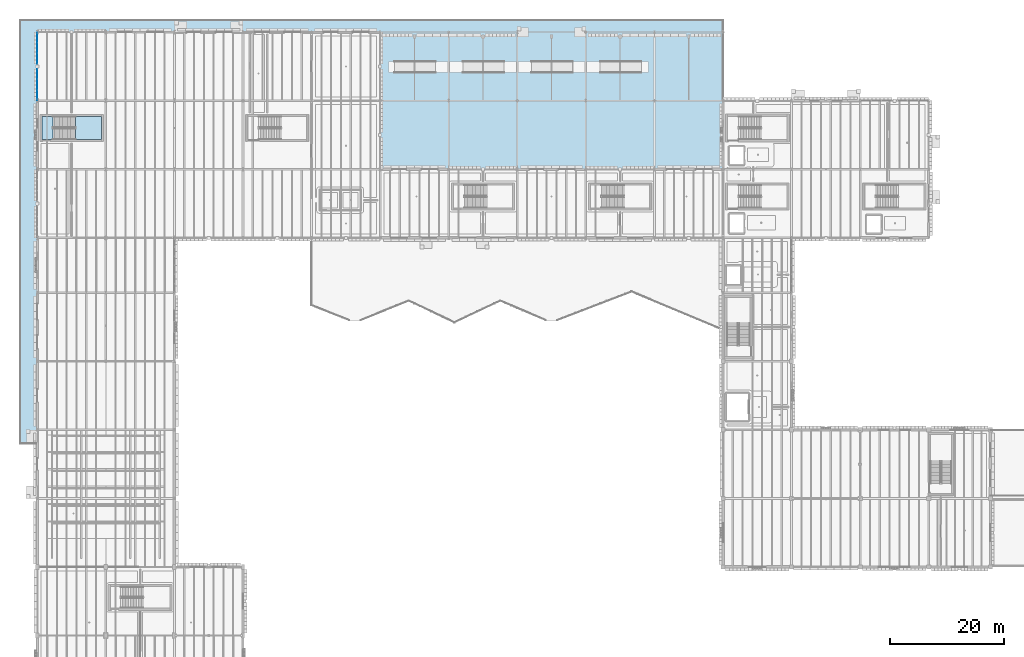
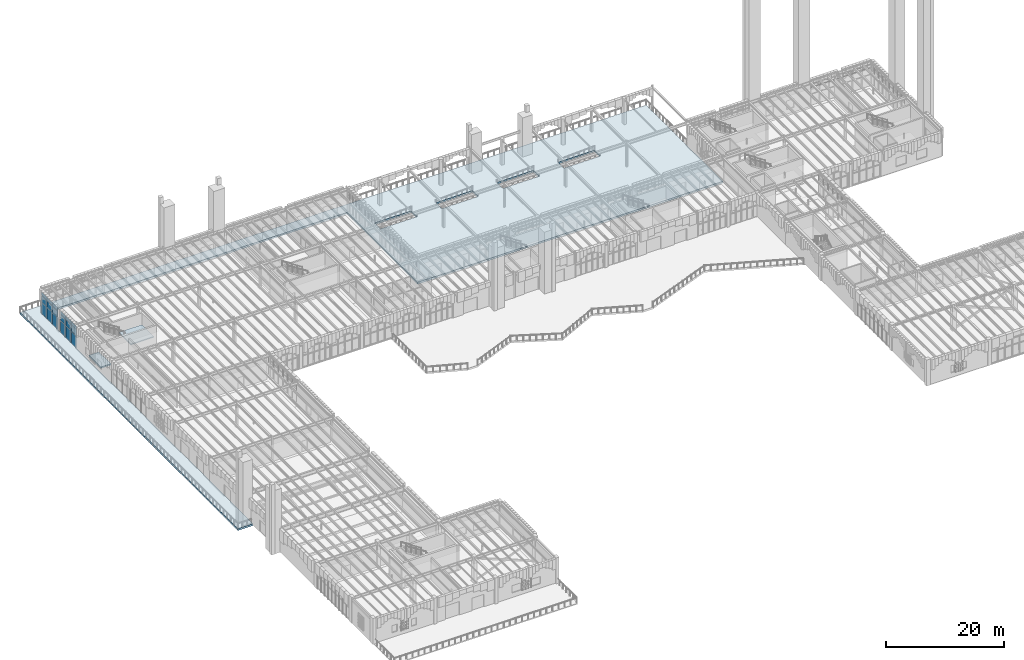
# One storey, part 43 of 103: 18 plates, 3 slabs, 3 elements without a shape of their own.
"""IFC4 building model written with IfcOpenShell, lengths in metres."""

from ifc_helpers import new_model, si_unit, direction, frame, origin, origin_2d, place, context, subcontext, project, spatial, polyline, rectangle, outline, extrude, material, layer, layer_set, type_object, element, aggregate, save


model = new_model("IFC4")

# Units and contexts
model_context = context("Model", 3, precision=1e-05, world=origin(), true_north=direction((0.0, 1.0)))
body_context = subcontext(model_context, "Body", "Model", "MODEL_VIEW")
ifc_project = project(units=[si_unit("LENGTHUNIT", "METRE"), si_unit("AREAUNIT", "SQUARE_METRE"), si_unit("VOLUMEUNIT", "CUBIC_METRE"), si_unit("PLANEANGLEUNIT", "RADIAN"), si_unit("MASSUNIT", "GRAM", prefix="KILO")], contexts=[model_context])

# Site, building, storey
site_placement = place(None, origin())
site = spatial("IfcSite", under=ifc_project, at=site_placement, CompositionType="ELEMENT")
building_placement = place(site_placement, origin())
building = spatial("IfcBuilding", under=site, at=building_placement, Name="Zlatogorsky Bluff Art Gallery", CompositionType="ELEMENT")
storey_placement = place(building_placement, origin())
storey = spatial("IfcBuildingStorey", under=building, at=storey_placement, Name="L00", CompositionType="ELEMENT", Elevation=0.0)

# Curtain wall, plates
ifc_material_1 = material(Name="Anodised Bronze Aluminium and Low-Iron Triple Glazing", Category="aluminium")
ifc_layer_1 = layer(ifc_material_1, 0.219970703125)
ifc_layer_set_1 = layer_set([ifc_layer_1], Name="Curtain Wall CW-04")
curtain_wall_type = type_object("IfcCurtainWallType", Name="Curtain Wall CW-04", PredefinedType="USERDEFINED", material=ifc_layer_set_1)
curtain_wall_1_placement = place(storey_placement, origin())
curtain_wall_1 = element("IfcCurtainWall", 1, at=curtain_wall_1_placement, inside=storey, type_object=curtain_wall_type, Name="Unitised curtain wall CW-04 L00 W 0.10-A", ObjectType="CURTAIN WALL", PredefinedType="USERDEFINED")
ifc_material_2 = material(Name="Low-Iron Laminated Triple Glazing", Category="glass")
ifc_layer_2 = layer(ifc_material_2, 0.035888671875)
ifc_layer_set_2 = layer_set([ifc_layer_2], Name="Glazed Curtain Panel CWP-01")
plate_type = type_object("IfcPlateType", Name="Glazed Curtain Panel CWP-01", PredefinedType="CURTAIN_PANEL", material=ifc_layer_set_2)
plate_1_placement = place(storey_placement, frame((0.0, 119.0537109375, 0.06494140625), z_axis=(0.0, 0.0, 1.0), x_axis=(0.0, -1.0, 0.0)))
plate_1 = element("IfcPlate", 2, at=plate_1_placement, type_object=plate_type, Name="CW-04 panel 1.1", PredefinedType="CURTAIN_PANEL", context=body_context, shape_type="SweptSolid", body=[
    extrude(rectangle(XDim=1.762451171875, YDim=0.035888671875, at=origin_2d()), origin(), (0.0, 0.0, 1.0), 2.3525390625),
])
plate_2_placement = place(storey_placement, frame((0.0, 119.0537109375, 2.482421875), z_axis=(0.0, 0.0, 1.0), x_axis=(0.0, -1.0, 0.0)))
plate_2 = element("IfcPlate", 3, at=plate_2_placement, type_object=plate_type, Name="CW-04 panel 1.2", PredefinedType="CURTAIN_PANEL", context=body_context, shape_type="SweptSolid", body=[
    extrude(rectangle(XDim=1.762451171875, YDim=0.035888671875, at=origin_2d()), origin(), (0.0, 0.0, 1.0), 1.3349609375),
])
plate_3_placement = place(storey_placement, frame((0.0, 119.0537109375, 3.88232421875), z_axis=(0.0, 0.0, 1.0), x_axis=(0.0, -1.0, 0.0)))
plate_3 = element("IfcPlate", 4, at=plate_3_placement, type_object=plate_type, Name="CW-04 panel 1.3", PredefinedType="CURTAIN_PANEL", context=body_context, shape_type="SweptSolid", body=[
    extrude(rectangle(XDim=1.762451171875, YDim=0.035888671875, at=origin_2d()), origin(), (0.0, 0.0, 1.0), 0.612548828125),
])
plate_4_placement = place(storey_placement, frame((0.0, 117.2099609375, 0.06494140625), z_axis=(0.0, 0.0, 1.0), x_axis=(0.0, -1.0, 0.0)))
plate_4 = element("IfcPlate", 5, at=plate_4_placement, type_object=plate_type, Name="CW-04 panel 2.1", PredefinedType="CURTAIN_PANEL", context=body_context, shape_type="SweptSolid", body=[
    extrude(rectangle(XDim=1.794921875, YDim=0.035888671875, at=origin_2d()), origin(), (0.0, 0.0, 1.0), 2.3525390625),
])
plate_5_placement = place(storey_placement, frame((0.0, 117.2099609375, 2.482421875), z_axis=(0.0, 0.0, 1.0), x_axis=(0.0, -1.0, 0.0)))
plate_5 = element("IfcPlate", 6, at=plate_5_placement, type_object=plate_type, Name="CW-04 panel 2.2", PredefinedType="CURTAIN_PANEL", context=body_context, shape_type="SweptSolid", body=[
    extrude(rectangle(XDim=1.794921875, YDim=0.035888671875, at=origin_2d()), origin(), (0.0, 0.0, 1.0), 1.3349609375),
])
plate_6_placement = place(storey_placement, frame((0.0, 117.2099609375, 3.88232421875), z_axis=(0.0, 0.0, 1.0), x_axis=(0.0, -1.0, 0.0)))
plate_6 = element("IfcPlate", 7, at=plate_6_placement, type_object=plate_type, Name="CW-04 panel 2.3", PredefinedType="CURTAIN_PANEL", context=body_context, shape_type="SweptSolid", body=[
    extrude(rectangle(XDim=1.794921875, YDim=0.035888671875, at=origin_2d()), origin(), (0.0, 0.0, 1.0), 0.612548828125),
])
plate_7_placement = place(storey_placement, frame((0.0, 115.3662109375, 0.06494140625), z_axis=(0.0, 0.0, 1.0), x_axis=(0.0, -1.0, 0.0)))
plate_7 = element("IfcPlate", 8, at=plate_7_placement, type_object=plate_type, Name="CW-04 panel 3.1", PredefinedType="CURTAIN_PANEL", context=body_context, shape_type="SweptSolid", body=[
    extrude(rectangle(XDim=1.762451171875, YDim=0.035888671875, at=origin_2d()), origin(), (0.0, 0.0, 1.0), 2.3525390625),
])
plate_8_placement = place(storey_placement, frame((0.0, 115.3662109375, 2.482421875), z_axis=(0.0, 0.0, 1.0), x_axis=(0.0, -1.0, 0.0)))
plate_8 = element("IfcPlate", 9, at=plate_8_placement, type_object=plate_type, Name="CW-04 panel 3.2", PredefinedType="CURTAIN_PANEL", context=body_context, shape_type="SweptSolid", body=[
    extrude(rectangle(XDim=1.762451171875, YDim=0.035888671875, at=origin_2d()), origin(), (0.0, 0.0, 1.0), 1.3349609375),
])
plate_9_placement = place(storey_placement, frame((0.0, 115.3662109375, 3.88232421875), z_axis=(0.0, 0.0, 1.0), x_axis=(0.0, -1.0, 0.0)))
plate_9 = element("IfcPlate", 10, at=plate_9_placement, type_object=plate_type, Name="CW-04 panel 3.3", PredefinedType="CURTAIN_PANEL", context=body_context, shape_type="SweptSolid", body=[
    extrude(rectangle(XDim=1.762451171875, YDim=0.035888671875, at=origin_2d()), origin(), (0.0, 0.0, 1.0), 0.612548828125),
])
aggregate(curtain_wall_1, [plate_1, plate_2, plate_3, plate_4, plate_5, plate_6, plate_7, plate_8, plate_9])

curtain_wall_2_placement = place(storey_placement, origin())
curtain_wall_2 = element("IfcCurtainWall", 11, at=curtain_wall_2_placement, inside=storey, type_object=curtain_wall_type, Name="Unitised curtain wall CW-04 L00 W 0.10-B", ObjectType="CURTAIN WALL", PredefinedType="USERDEFINED")
plate_10_placement = place(storey_placement, frame((0.0, 112.6337890625, 0.06494140625), z_axis=(0.0, 0.0, 1.0), x_axis=(0.0, -1.0, 0.0)))
plate_10 = element("IfcPlate", 12, at=plate_10_placement, type_object=plate_type, Name="CW-04 panel 1.1", PredefinedType="CURTAIN_PANEL", context=body_context, shape_type="SweptSolid", body=[
    extrude(rectangle(XDim=1.762451171875, YDim=0.035888671875, at=origin_2d()), origin(), (0.0, 0.0, 1.0), 2.3525390625),
])
plate_11_placement = place(storey_placement, frame((0.0, 112.6337890625, 2.482421875), z_axis=(0.0, 0.0, 1.0), x_axis=(0.0, -1.0, 0.0)))
plate_11 = element("IfcPlate", 13, at=plate_11_placement, type_object=plate_type, Name="CW-04 panel 1.2", PredefinedType="CURTAIN_PANEL", context=body_context, shape_type="SweptSolid", body=[
    extrude(rectangle(XDim=1.762451171875, YDim=0.035888671875, at=origin_2d()), origin(), (0.0, 0.0, 1.0), 1.3349609375),
])
plate_12_placement = place(storey_placement, frame((0.0, 112.6337890625, 3.88232421875), z_axis=(0.0, 0.0, 1.0), x_axis=(0.0, -1.0, 0.0)))
plate_12 = element("IfcPlate", 14, at=plate_12_placement, type_object=plate_type, Name="CW-04 panel 1.3", PredefinedType="CURTAIN_PANEL", context=body_context, shape_type="SweptSolid", body=[
    extrude(rectangle(XDim=1.762451171875, YDim=0.035888671875, at=origin_2d()), origin(), (0.0, 0.0, 1.0), 0.612548828125),
])
plate_13_placement = place(storey_placement, frame((0.0, 110.7900390625, 0.06494140625), z_axis=(0.0, 0.0, 1.0), x_axis=(0.0, -1.0, 0.0)))
plate_13 = element("IfcPlate", 15, at=plate_13_placement, type_object=plate_type, Name="CW-04 panel 2.1", PredefinedType="CURTAIN_PANEL", context=body_context, shape_type="SweptSolid", body=[
    extrude(rectangle(XDim=1.794921875, YDim=0.035888671875, at=origin_2d()), origin(), (0.0, 0.0, 1.0), 2.3525390625),
])
plate_14_placement = place(storey_placement, frame((0.0, 110.7900390625, 2.482421875), z_axis=(0.0, 0.0, 1.0), x_axis=(0.0, -1.0, 0.0)))
plate_14 = element("IfcPlate", 16, at=plate_14_placement, type_object=plate_type, Name="CW-04 panel 2.2", PredefinedType="CURTAIN_PANEL", context=body_context, shape_type="SweptSolid", body=[
    extrude(rectangle(XDim=1.794921875, YDim=0.035888671875, at=origin_2d()), origin(), (0.0, 0.0, 1.0), 1.3349609375),
])
plate_15_placement = place(storey_placement, frame((0.0, 110.7900390625, 3.88232421875), z_axis=(0.0, 0.0, 1.0), x_axis=(0.0, -1.0, 0.0)))
plate_15 = element("IfcPlate", 17, at=plate_15_placement, type_object=plate_type, Name="CW-04 panel 2.3", PredefinedType="CURTAIN_PANEL", context=body_context, shape_type="SweptSolid", body=[
    extrude(rectangle(XDim=1.794921875, YDim=0.035888671875, at=origin_2d()), origin(), (0.0, 0.0, 1.0), 0.612548828125),
])
plate_16_placement = place(storey_placement, frame((0.0, 108.9462890625, 0.06494140625), z_axis=(0.0, 0.0, 1.0), x_axis=(0.0, -1.0, 0.0)))
plate_16 = element("IfcPlate", 18, at=plate_16_placement, type_object=plate_type, Name="CW-04 panel 3.1", PredefinedType="CURTAIN_PANEL", context=body_context, shape_type="SweptSolid", body=[
    extrude(rectangle(XDim=1.762451171875, YDim=0.035888671875, at=origin_2d()), origin(), (0.0, 0.0, 1.0), 2.3525390625),
])
plate_17_placement = place(storey_placement, frame((0.0, 108.9462890625, 2.482421875), z_axis=(0.0, 0.0, 1.0), x_axis=(0.0, -1.0, 0.0)))
plate_17 = element("IfcPlate", 19, at=plate_17_placement, type_object=plate_type, Name="CW-04 panel 3.2", PredefinedType="CURTAIN_PANEL", context=body_context, shape_type="SweptSolid", body=[
    extrude(rectangle(XDim=1.762451171875, YDim=0.035888671875, at=origin_2d()), origin(), (0.0, 0.0, 1.0), 1.3349609375),
])
plate_18_placement = place(storey_placement, frame((0.0, 108.9462890625, 3.88232421875), z_axis=(0.0, 0.0, 1.0), x_axis=(0.0, -1.0, 0.0)))
plate_18 = element("IfcPlate", 20, at=plate_18_placement, type_object=plate_type, Name="CW-04 panel 3.3", PredefinedType="CURTAIN_PANEL", context=body_context, shape_type="SweptSolid", body=[
    extrude(rectangle(XDim=1.762451171875, YDim=0.035888671875, at=origin_2d()), origin(), (0.0, 0.0, 1.0), 0.612548828125),
])
aggregate(curtain_wall_2, [plate_10, plate_11, plate_12, plate_13, plate_14, plate_15, plate_16, plate_17, plate_18])

# Slabs
ifc_material_3 = material(Name="Concrete C30/37", Category="concrete")
ifc_layer_3 = layer(ifc_material_3, 0.280029296875)
ifc_layer_set_3 = layer_set([ifc_layer_3], Name="Slab SL-00 280mm")
slab_type_1 = type_object("IfcSlabType", Name="Slab SL-00 280mm", PredefinedType="FLOOR", material=ifc_layer_set_3)
slab_1_placement = place(storey_placement, frame((0.0, 0.0, -0.280029296875)))
element("IfcSlab", 21, at=slab_1_placement, inside=storey, type_object=slab_type_1, Name="L00 stair ST-05 structural floor landing slab", PredefinedType="FLOOR", context=body_context, shape_type="SweptSolid", body=[
    extrude(outline(polyline([(0.800048828125, 101.199951171875), (2.75, 101.199951171875), (2.75, 105.25), (0.800048828125, 105.25), (0.800048828125, 101.199951171875)])), origin(), (0.0, 0.0, 1.0), 0.280029296875),
])
ifc_material_4 = material(Name="Concrete C35/45", Category="concrete")
ifc_layer_4 = layer(ifc_material_4, 0.360107421875)
ifc_layer_set_4 = layer_set([ifc_layer_4], Name="Slab SL-PL1 360mm")
slab_type_2 = type_object("IfcSlabType", Name="Slab SL-PL1 360mm", PredefinedType="FLOOR", material=ifc_layer_set_4)
slab_2_placement = place(storey_placement, frame((0.0, 0.0, -0.360107421875)))
element("IfcSlab", 22, at=slab_2_placement, inside=storey, type_object=slab_type_2, Name="L00 north boulevard arrival forecourt terrace 1", PredefinedType="FLOOR", context=body_context, shape_type="SweptSolid", body=[
    extrude(outline(polyline([(-3.0, 48.0), (-3.0, 120.0), (-3.0, 122.10009765625), (120.0, 122.10009765625), (120.0, 120.0), (120.0, 114.89990234375), (120.0, 112.89990234375), (120.0, 108.0), (120.0, 96.0), (108.0, 96.0), (96.0, 96.0), (84.0, 96.0), (72.0, 96.0), (60.0, 96.0), (60.0, 108.0), (60.0, 112.89990234375), (60.0, 114.89990234375), (60.0, 120.0), (48.0, 120.0), (36.0, 120.0), (24.0, 120.0), (12.0, 120.0), (0.0, 120.0), (0.0, 108.0), (0.0, 96.0), (0.0, 84.0), (0.0, 74.39990234375), (0.0, 62.39990234375), (0.0, 50.39990234375), (0.0, 48.0), (-3.0, 48.0)]), holes=[polyline([(69.699951171875, 112.89990234375), (69.699951171875, 114.89990234375), (62.5, 114.89990234375), (62.5, 112.89990234375), (69.699951171875, 112.89990234375)]), polyline([(81.699951171875, 112.89990234375), (81.699951171875, 114.89990234375), (74.5, 114.89990234375), (74.5, 112.89990234375), (81.699951171875, 112.89990234375)]), polyline([(93.699951171875, 114.89990234375), (86.5, 114.89990234375), (86.5, 112.89990234375), (93.699951171875, 112.89990234375), (93.699951171875, 114.89990234375)]), polyline([(105.699951171875, 114.89990234375), (98.5, 114.89990234375), (98.5, 112.89990234375), (105.699951171875, 112.89990234375), (105.699951171875, 114.89990234375)])]), origin(), (0.0, 0.0, 1.0), 0.360107421875),
])

# Stair, slab
stair_type = type_object("IfcStairType", Name="Protected Dogleg Stair ST-T3", PredefinedType="HALF_TURN_STAIR", material=ifc_material_3)
stair_placement = place(storey_placement, origin())
stair = element("IfcStair", 23, at=stair_placement, inside=storey, type_object=stair_type, Name="L00 Protected Exit Stair ST-05", PredefinedType="HALF_TURN_STAIR")
ifc_layer_5 = layer(ifc_material_3, 0.199951171875)
ifc_layer_set_5 = layer_set([ifc_layer_5], Name="Stair Half-Landing 200mm")
slab_type_3 = type_object("IfcSlabType", Name="Stair Half-Landing 200mm", PredefinedType="LANDING", material=ifc_layer_set_5)
slab_3_placement = place(storey_placement, frame((0.0, 0.0, 2.5)))
slab_3 = element("IfcSlab", 24, at=slab_3_placement, type_object=slab_type_3, Name="ST-05 landing 1", PredefinedType="LANDING", context=body_context, shape_type="SweptSolid", body=[
    extrude(outline(polyline([(6.669921875, 101.199951171875), (11.199951171875, 101.199951171875), (11.199951171875, 105.25), (6.669921875, 105.25), (6.669921875, 101.199951171875)])), origin(), (0.0, 0.0, 1.0), 0.199951171875),
])
aggregate(stair, [slab_3])

save(model, "model.ifc")
